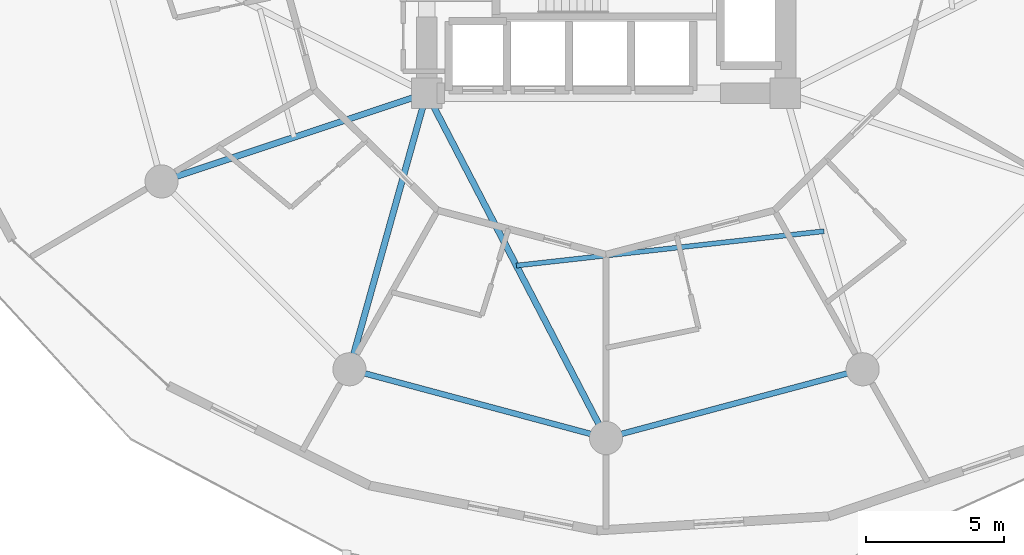
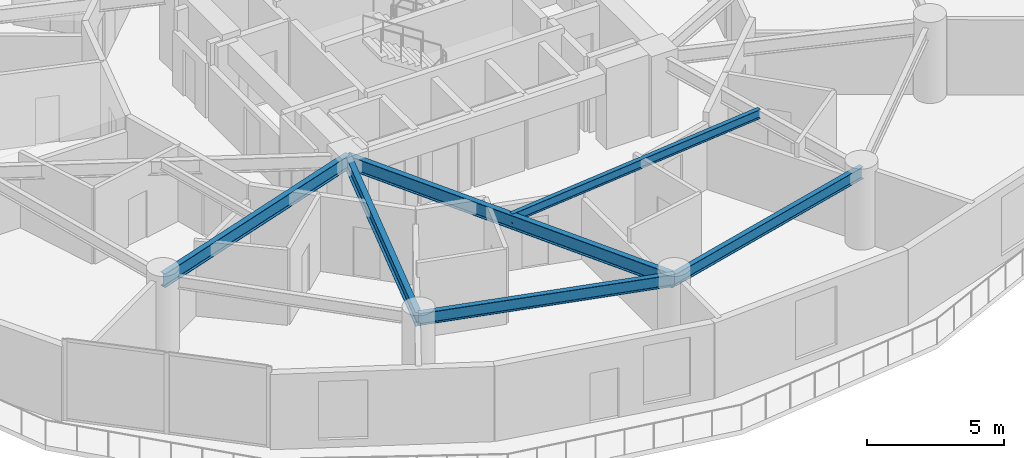
# One storey, part 3 of 26: 6 beams.
"""IFC4 building model written with IfcOpenShell, lengths in metres."""

from ifc_helpers import new_model, si_unit, direction, frame, origin, origin_2d, place, context, subcontext, project, spatial, i_section, extrude, material, material_profile, profile_set, type_object, element, save


model = new_model("IFC4")

# Units and contexts
model_context = context("Model", 3, precision=1e-05, world=origin(), true_north=direction((0.0, 1.0)))
body_context = subcontext(model_context, "Body", "Model", "MODEL_VIEW")
ifc_project = project(units=[si_unit("LENGTHUNIT", "METRE"), si_unit("AREAUNIT", "SQUARE_METRE"), si_unit("VOLUMEUNIT", "CUBIC_METRE"), si_unit("PLANEANGLEUNIT", "RADIAN"), si_unit("MASSUNIT", "GRAM", prefix="KILO")], contexts=[model_context])

# Site, building, storey
site_placement = place(None, origin())
site = spatial("IfcSite", under=ifc_project, at=site_placement, CompositionType="ELEMENT")
building_placement = place(site_placement, origin())
building = spatial("IfcBuilding", under=site, at=building_placement, Name="Solvirekh Grand Hotel", CompositionType="ELEMENT")
storey_placement = place(building_placement, frame((0.0, 0.0, 35.60009765625)))
storey = spatial("IfcBuildingStorey", under=building, at=storey_placement, Name="L07", CompositionType="ELEMENT", Elevation=35.60009765625)

# Beams
ifc_material = material(Name="Steel S355", Category="steel")
ifc_material_profile_1 = material_profile(ifc_material, i_section(OverallWidth=0.22802734375, OverallDepth=0.616943359375, WebThickness=0.012939453125, FlangeThickness=0.02001953125, FilletRadius=0.014892578125, at=origin_2d()), Name="W610X140")
ifc_profile_set_1 = profile_set([ifc_material_profile_1], Name="Steel S355")
beam_type_1 = type_object("IfcBeamType", Name="Beam_Radial_W610", PredefinedType="BEAM", material=ifc_profile_set_1)
beam_1_placement = place(storey_placement, frame((-6.5, -6.10009765625, 3.031005859375), z_axis=(-0.948762825819, -0.315989082635, 0.0), x_axis=(0.315989082635, -0.948762825819, 0.0)))
element("IfcBeam", 1, at=beam_1_placement, inside=storey, type_object=beam_type_1, Name="L07 radial floor beam R08", PredefinedType="BEAM", context=body_context, shape_type="SweptSolid", body=[
    extrude(i_section(OverallWidth=0.22802734375, OverallDepth=0.616943359375, WebThickness=0.012939453125, FlangeThickness=0.02001953125, FilletRadius=0.014892578125, at=origin_2d()), origin(), (0.0, 0.0, 1.0), 10.126708984375),
])
beam_2_placement = place(storey_placement, frame((-6.5, -6.10009765625, 3.031005859375), z_axis=(-0.269439084681, -0.963017434757, 0.0), x_axis=(0.963017434757, -0.269439084681, 0.0)))
element("IfcBeam", 2, at=beam_2_placement, inside=storey, type_object=beam_type_1, Name="L07 radial floor beam R09", PredefinedType="BEAM", context=body_context, shape_type="SweptSolid", body=[
    extrude(i_section(OverallWidth=0.22802734375, OverallDepth=0.616943359375, WebThickness=0.012939453125, FlangeThickness=0.02001953125, FilletRadius=0.014892578125, at=origin_2d()), origin(), (0.0, 0.0, 1.0), 10.39208984375),
])
beam_3_placement = place(storey_placement, frame((-6.5, -6.10009765625, 3.031005859375), z_axis=(0.461352736642, -0.887216801235, 0.0), x_axis=(0.887216801235, 0.461352736642, 0.0)))
element("IfcBeam", 3, at=beam_3_placement, inside=storey, type_object=beam_type_1, Name="L07 radial floor beam R10", PredefinedType="BEAM", context=body_context, shape_type="SweptSolid", body=[
    extrude(i_section(OverallWidth=0.22802734375, OverallDepth=0.616943359375, WebThickness=0.012939453125, FlangeThickness=0.02001953125, FilletRadius=0.014892578125, at=origin_2d()), origin(), (0.0, 0.0, 1.0), 14.089111328125),
])
ifc_material_profile_2 = material_profile(ifc_material, i_section(OverallWidth=0.177978515625, OverallDepth=0.406982421875, WebThickness=0.008056640625, FlangeThickness=0.011962890625, FilletRadius=0.011962890625, at=origin_2d()), Name="W410X60")
ifc_profile_set_2 = profile_set([ifc_material_profile_2], Name="Steel S355")
beam_type_2 = type_object("IfcBeamType", Name="Joist_Floor_W410", PredefinedType="JOIST", material=ifc_profile_set_2)
beam_4_placement = place(storey_placement, frame((-3.25, -12.35009765625, 3.135986328125), z_axis=(0.99381294191, 0.111066810937, 0.0), x_axis=(-0.111066810937, 0.99381294191, 0.0)))
element("IfcBeam", 4, at=beam_4_placement, inside=storey, type_object=beam_type_2, Name="L07 secondary composite floor joist 10", PredefinedType="JOIST", context=body_context, shape_type="SweptSolid", body=[
    extrude(i_section(OverallWidth=0.177978515625, OverallDepth=0.406982421875, WebThickness=0.008056640625, FlangeThickness=0.011962890625, FilletRadius=0.011962890625, at=origin_2d()), origin(), (0.0, 0.0, 1.0), 11.21923828125),
])
ifc_material_profile_3 = material_profile(ifc_material, i_section(OverallWidth=0.208984375, OverallDepth=0.532958984375, WebThickness=0.010009765625, FlangeThickness=0.014892578125, FilletRadius=0.013916015625, at=origin_2d()), Name="W530X92")
ifc_profile_set_3 = profile_set([ifc_material_profile_3], Name="Steel S355")
beam_type_3 = type_object("IfcBeamType", Name="Spandrel_Ring_W530", PredefinedType="SPANDREL", material=ifc_profile_set_3)
for number, where, z_axis, x_axis, name in (
    (5, (-9.300048828125, -16.10791015625, 3.072998046875), (0.965919414426, -0.258842973314, 0.0), (0.258842973314, 0.965919414426, 0.0), "L07 perimeter spandrel beam 9"),
    (6, (0.0, -18.60009765625, 3.072998046875), (0.965919414426, 0.258842973314, 0.0), (-0.258842973314, 0.965919414426, 0.0), "L07 perimeter spandrel beam 10"),
):
    element("IfcBeam", number, at=place(storey_placement, frame(where, z_axis=z_axis, x_axis=x_axis)), inside=storey, type_object=beam_type_3, Name=name, PredefinedType="SPANDREL", context=body_context, shape_type="SweptSolid", body=[
        extrude(i_section(OverallWidth=0.208984375, OverallDepth=0.532958984375, WebThickness=0.010009765625, FlangeThickness=0.014892578125, FilletRadius=0.013916015625, at=origin_2d()), origin(), (0.0, 0.0, 1.0), 9.628173828125),
    ])

save(model, "model.ifc")
